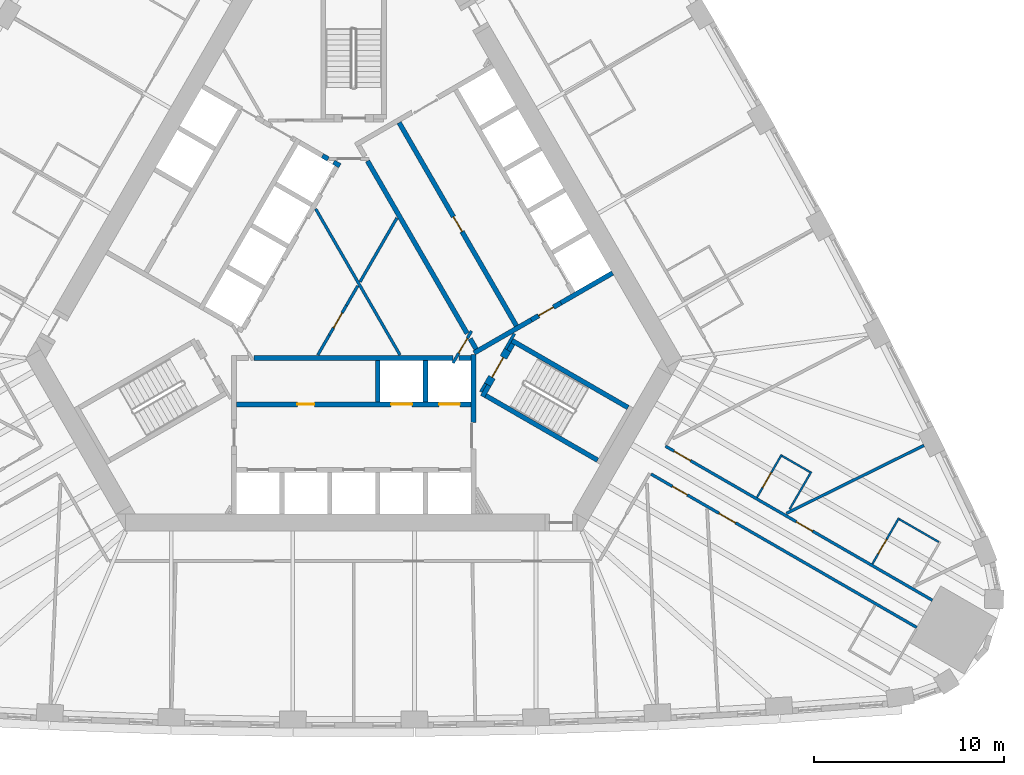
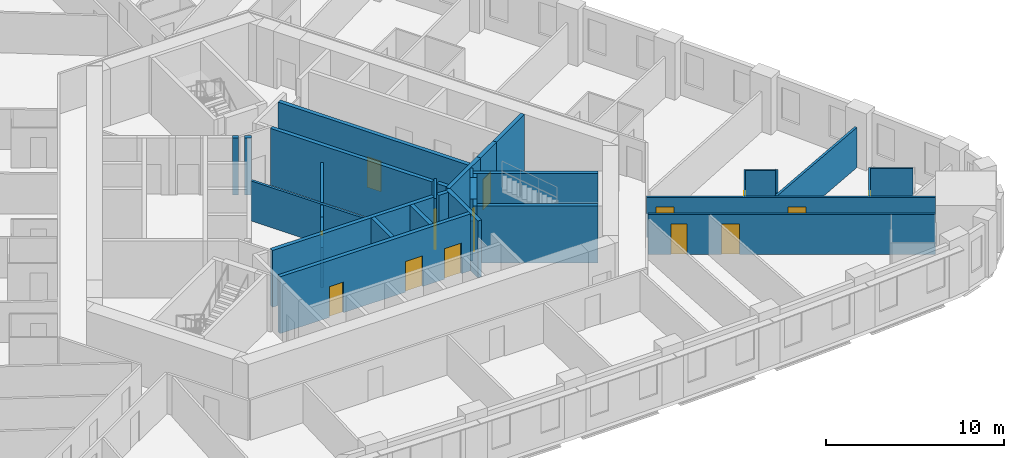
# One storey, part 7 of 12: 35 walls, 14 doors, 14 openings.
"""IFC4 building model written with IfcOpenShell, lengths in metres."""

from ifc_helpers import new_model, si_unit, direction, frame, frame_2d, origin, place, context, subcontext, project, spatial, rectangle, extrude, material, layer, layer_set, type_object, element, fill, save


model = new_model("IFC4")

# Units and contexts
model_context = context("Model", 3, precision=1e-05, world=origin(), true_north=direction((0.0, 1.0)))
body_context = subcontext(model_context, "Body", "Model", "MODEL_VIEW")
ifc_project = project(units=[si_unit("LENGTHUNIT", "METRE"), si_unit("AREAUNIT", "SQUARE_METRE"), si_unit("VOLUMEUNIT", "CUBIC_METRE"), si_unit("PLANEANGLEUNIT", "RADIAN"), si_unit("MASSUNIT", "GRAM", prefix="KILO")], contexts=[model_context])

# Site, building, storey
site_placement = place(None, origin())
site = spatial("IfcSite", under=ifc_project, at=site_placement, CompositionType="ELEMENT")
building_placement = place(site_placement, origin())
building = spatial("IfcBuilding", under=site, at=building_placement, Name="Mestral Congress Tower", CompositionType="ELEMENT")
storey_placement = place(building_placement, frame((0.0, 0.0, 47.10009765625)))
storey = spatial("IfcBuildingStorey", under=building, at=storey_placement, Name="L10", CompositionType="ELEMENT", Elevation=47.10009765625)

# Walls
ifc_material_1 = material(Name="Fire-rated board partition")
ifc_layer_1 = layer(ifc_material_1, 0.14990234375)
ifc_layer_set_1 = layer_set([ifc_layer_1], Name="Fire-rated board partition")
wall_type_1 = type_object("IfcWallType", Name="Core partition 150", PredefinedType="PARTITIONING", material=ifc_layer_set_1)
wall_1_placement = place(storey_placement, frame((-1.886962890625, -3.71826171875, 0.0), z_axis=(0.0, 0.0, 1.0), x_axis=(0.500057179532, 0.865992388649, 0.0)))
element("IfcWall", 1, at=wall_1_placement, inside=storey, type_object=wall_type_1, Name="L10 core wall", PredefinedType="PARTITIONING", context=body_context, shape_type="SweptSolid", body=[
    extrude(rectangle(XDim=1.199462890625, YDim=0.14990234375, at=frame_2d((0.599609375, 0.0))), origin(), (0.0, 0.0, 1.0), 2.75),
])
wall_2_placement = place(storey_placement, frame((6.94482421875, -5.22216796875, 0.0), z_axis=(0.0, 0.0, 1.0), x_axis=(-0.499818422106, -0.866130212453, 0.0)))
element("IfcWall", 2, at=wall_2_placement, inside=storey, type_object=wall_type_1, Name="L10 core wall", PredefinedType="PARTITIONING", context=body_context, shape_type="SweptSolid", body=[
    extrude(rectangle(XDim=0.513916015625, YDim=0.14990234375, at=frame_2d((0.2568359375, 0.0))), origin(), (0.0, 0.0, 1.0), 2.75),
])
wall_3_placement = place(storey_placement, frame((2.435302734375, -3.71826171875, 0.0), z_axis=(0.0, 0.0, 1.0), x_axis=(-0.499985176046, 0.866033962229, 0.0)))
element("IfcWall", 3, at=wall_3_placement, inside=storey, type_object=wall_type_1, Name="L10 core wall", PredefinedType="PARTITIONING", context=body_context, shape_type="SweptSolid", body=[
    extrude(rectangle(XDim=8.875244140625, YDim=0.14990234375, at=frame_2d((4.4375, 0.0))), origin(), (0.0, 0.0, 1.0), 2.75),
])
wall_4_placement = place(storey_placement, frame((0.3359375, 0.1318359375, 0.0), z_axis=(0.0, 0.0, 1.0), x_axis=(0.500001957507, 0.866024273614, 0.0)))
element("IfcWall", 4, at=wall_4_placement, inside=storey, type_object=wall_type_1, Name="L10 core wall", PredefinedType="PARTITIONING", context=body_context, shape_type="SweptSolid", body=[
    extrude(rectangle(XDim=3.88134765625, YDim=0.14990234375, at=frame_2d((1.940673828125, 0.0))), origin(), (0.0, 0.0, 1.0), 2.75),
])
wall_5_placement = place(storey_placement, frame((-0.38720703125, -1.12060546875, 0.0), z_axis=(0.0, 0.0, 1.0), x_axis=(0.500057179532, 0.865992388649, 0.0)))
element("IfcWall", 5, at=wall_5_placement, inside=storey, type_object=wall_type_1, Name="L10 core wall", PredefinedType="PARTITIONING", context=body_context, shape_type="SweptSolid", body=[
    extrude(rectangle(XDim=1.199462890625, YDim=0.14990234375, at=frame_2d((0.599609375, 0.0))), origin(), (0.0, 0.0, 1.0), 2.75),
])

# Wall, opening, door
wall_6_placement = place(storey_placement, frame((-1.287109375, -2.679443359375, 0.0), z_axis=(0.0, 0.0, 1.0), x_axis=(0.499961193289, 0.866047807691, 0.0)))
wall_6 = element("IfcWall", 6, at=wall_6_placement, inside=storey, type_object=wall_type_1, Name="L10 door wall", PredefinedType="PARTITIONING", context=body_context, shape_type="SweptSolid", body=[
    extrude(rectangle(XDim=1.800048828125, YDim=0.14990234375, at=frame_2d((0.89990234375, 0.0))), origin(), (0.0, 0.0, 1.0), 2.75),
])
opening_1_placement = place(wall_6_placement, frame((0.449951171875, 0.0, 0.0)))
opening_1 = element("IfcOpeningElement", 7, at=opening_1_placement, cuts=wall_6, Name="Opening SD-HUB2", PredefinedType="OPENING", context=body_context, shape_type="SweptSolid", body=[
    extrude(rectangle(XDim=0.89990234375, YDim=2.10009765625, at=frame_2d((0.449951171875, 1.050048828125))), frame((0.0, 0.0849609375, 0.0), z_axis=(0.0, -1.0, 0.0), x_axis=(1.0, 0.0, 0.0)), (0.0, 0.0, 1.0), 0.169921875),
])
ifc_material_2 = material(Name="Fire-rated steel door set", Category="steel")
door_type_1 = type_object("IfcDoorType", Name="Core door SR 900x2100", OperationType="SINGLE_SWING_LEFT", PredefinedType="DOOR", material=ifc_material_2)
door_1_placement = place(opening_1_placement, origin())
door_1 = element("IfcDoor", 8, at=door_1_placement, inside=storey, type_object=door_type_1, Name="Door SD-HUB2", OperationType="SINGLE_SWING_LEFT", OverallHeight=2.10009765625, OverallWidth=0.89990234375, PredefinedType="DOOR", context=body_context, shape_type="SweptSolid", body=[
    extrude(rectangle(XDim=0.89990234375, YDim=2.10009765625, at=frame_2d((0.449951171875, 1.050048828125))), frame((0.0, 0.02490234375, 0.0), z_axis=(0.0, -1.0, 0.0), x_axis=(1.0, 0.0, 0.0)), (0.0, 0.0, 1.0), 0.050048828125),
])
fill(opening_1, door_1)

ifc_material_3 = material(Name="Gypsum board partition on metal studs with mineral wool", Category="composite")
ifc_layer_2 = layer(ifc_material_3, 0.10009765625)
ifc_layer_set_2 = layer_set([ifc_layer_2], Name="Gypsum board partition on metal studs with mineral wool")
wall_type_2 = type_object("IfcWallType", Name="Hotel partition wall 100", PredefinedType="PARTITIONING", material=ifc_layer_set_2)
wall_7_placement = place(storey_placement, frame((28.7041015625, -12.300048828125, 0.0), z_axis=(0.0, 0.0, 1.0), x_axis=(-0.49998411664, -0.866034573852, 0.0)))
wall_7 = element("IfcWall", 9, at=wall_7_placement, inside=storey, type_object=wall_type_2, Name="L10-h-pod10a", PredefinedType="PARTITIONING", context=body_context, shape_type="SweptSolid", body=[
    extrude(rectangle(XDim=2.7998046875, YDim=0.10009765625, at=frame_2d((1.39990234375, 0.0))), origin(), (0.0, 0.0, 1.0), 2.75),
])
opening_2_placement = place(wall_7_placement, frame((1.300048828125, 0.0, 0.0)))
opening_2 = element("IfcOpeningElement", 10, at=opening_2_placement, cuts=wall_7, Name="Opening H02-013", PredefinedType="OPENING", context=body_context, shape_type="SweptSolid", body=[
    extrude(rectangle(XDim=0.89990234375, YDim=2.10009765625, at=frame_2d((0.449951171875, 1.050048828125))), frame((0.0, 0.06005859375, 0.0), z_axis=(0.0, -1.0, 0.0), x_axis=(1.0, 0.0, 0.0)), (0.0, 0.0, 1.0), 0.1201171875),
])
ifc_material_4 = material(Name="Timber veneer door leaf in timber frame", Category="wood")
door_type_2 = type_object("IfcDoorType", Name="Bathroom door 900", OperationType="SINGLE_SWING_LEFT", PredefinedType="DOOR", material=ifc_material_4)
door_2_placement = place(opening_2_placement, origin())
door_2 = element("IfcDoor", 11, at=door_2_placement, inside=storey, type_object=door_type_2, Name="L10-h-d013", OperationType="SINGLE_SWING_LEFT", OverallHeight=2.10009765625, OverallWidth=0.89990234375, PredefinedType="DOOR", context=body_context, shape_type="SweptSolid", body=[
    extrude(rectangle(XDim=0.89990234375, YDim=2.10009765625, at=frame_2d((0.449951171875, 1.050048828125))), frame((0.0, 0.02490234375, 0.0), z_axis=(0.0, -1.0, 0.0), x_axis=(1.0, 0.0, 0.0)), (0.0, 0.0, 1.0), 0.050048828125),
])
fill(opening_2, door_2)

# Wall
wall_8_placement = place(storey_placement, frame((28.722412109375, -12.368408203125, 0.0), z_axis=(0.0, 0.0, 1.0), x_axis=(0.866050077142, -0.499957262057, 0.0)))
element("IfcWall", 12, at=wall_8_placement, inside=storey, type_object=wall_type_2, Name="L10-h-pod10b", PredefinedType="PARTITIONING", context=body_context, shape_type="SweptSolid", body=[
    extrude(rectangle(XDim=2.400146484375, YDim=0.10009765625, at=frame_2d((1.2001953125, 0.0))), origin(), (0.0, 0.0, 1.0), 2.75),
])

# Wall, opening, door
wall_9_placement = place(storey_placement, frame((22.5302734375, -8.96630859375, 0.0), z_axis=(0.0, 0.0, 1.0), x_axis=(-0.500006934395, -0.866021400173, 0.0)))
wall_9 = element("IfcWall", 13, at=wall_9_placement, inside=storey, type_object=wall_type_2, Name="L10-h-pod11a", PredefinedType="PARTITIONING", context=body_context, shape_type="SweptSolid", body=[
    extrude(rectangle(XDim=2.60009765625, YDim=0.10009765625, at=frame_2d((1.300048828125, 0.0))), origin(), (0.0, 0.0, 1.0), 2.75),
])
opening_3_placement = place(wall_9_placement, frame((1.10009765625, 0.0, 0.0)))
opening_3 = element("IfcOpeningElement", 14, at=opening_3_placement, cuts=wall_9, Name="Opening H02-015", PredefinedType="OPENING", context=body_context, shape_type="SweptSolid", body=[
    extrude(rectangle(XDim=0.89990234375, YDim=2.10009765625, at=frame_2d((0.449951171875, 1.050048828125))), frame((0.0, 0.06005859375, 0.0), z_axis=(0.0, -1.0, 0.0), x_axis=(1.0, 0.0, 0.0)), (0.0, 0.0, 1.0), 0.1201171875),
])
door_3_placement = place(opening_3_placement, origin())
door_3 = element("IfcDoor", 15, at=door_3_placement, inside=storey, type_object=door_type_2, Name="L10-h-d015", OperationType="SINGLE_SWING_LEFT", OverallHeight=2.10009765625, OverallWidth=0.89990234375, PredefinedType="DOOR", context=body_context, shape_type="SweptSolid", body=[
    extrude(rectangle(XDim=0.89990234375, YDim=2.10009765625, at=frame_2d((0.449951171875, 1.050048828125))), frame((0.0, 0.02490234375, 0.0), z_axis=(0.0, -1.0, 0.0), x_axis=(1.0, 0.0, 0.0)), (0.0, 0.0, 1.0), 0.050048828125),
])
fill(opening_3, door_3)

# Walls
wall_10_placement = place(storey_placement, frame((22.548583984375, -9.03466796875, 0.0), z_axis=(0.0, 0.0, 1.0), x_axis=(0.86605165483, -0.499954529098, 0.0)))
element("IfcWall", 16, at=wall_10_placement, inside=storey, type_object=wall_type_2, Name="L10-h-pod11b", PredefinedType="PARTITIONING", context=body_context, shape_type="SweptSolid", body=[
    extrude(rectangle(XDim=1.699951171875, YDim=0.10009765625, at=frame_2d((0.85009765625, 0.0))), origin(), (0.0, 0.0, 1.0), 2.75),
])
wall_11_placement = place(storey_placement, frame((22.944091796875, -11.849609375, 0.0), z_axis=(0.0, 0.0, 1.0), x_axis=(0.499968531483, 0.866043571379, 0.0)))
element("IfcWall", 17, at=wall_11_placement, inside=storey, type_object=wall_type_2, Name="L10-h-pod11c", PredefinedType="PARTITIONING", context=body_context, shape_type="SweptSolid", body=[
    extrude(rectangle(XDim=2.290283203125, YDim=0.10009765625, at=frame_2d((1.14501953125, 0.0))), origin(), (0.0, 0.0, 1.0), 2.75),
])

# Wall, openings, doors
ifc_layer_3 = layer(ifc_material_3, 0.14990234375)
ifc_layer_set_3 = layer_set([ifc_layer_3], Name="Gypsum board partition on metal studs with mineral wool")
wall_type_3 = type_object("IfcWallType", Name="Hotel partition wall 150", PredefinedType="PARTITIONING", material=ifc_layer_set_3)
wall_12_placement = place(storey_placement, frame((16.412353515625, -8.52294921875, 0.0), z_axis=(0.0, 0.0, 1.0), x_axis=(0.866022197818, -0.500005552856, 0.0)))
wall_12 = element("IfcWall", 18, at=wall_12_placement, inside=storey, type_object=wall_type_3, Name="L10-h-cw01", PredefinedType="PARTITIONING", context=body_context, shape_type="SweptSolid", body=[
    extrude(rectangle(XDim=16.223876953125, YDim=0.14990234375, at=frame_2d((8.11181640625, 0.0))), origin(), (0.0, 0.0, 1.0), 2.75),
])
opening_4_placement = place(wall_12_placement, frame((7.94921875, 0.0, 0.0)))
opening_4 = element("IfcOpeningElement", 19, at=opening_4_placement, cuts=wall_12, Name="Opening H02-012", PredefinedType="OPENING", context=body_context, shape_type="SweptSolid", body=[
    extrude(rectangle(XDim=1.0, YDim=2.10009765625, at=frame_2d((0.5, 1.050048828125))), frame((0.0, 0.0849609375, 0.0), z_axis=(0.0, -1.0, 0.0), x_axis=(1.0, 0.0, 0.0)), (0.0, 0.0, 1.0), 0.169921875),
])
opening_5_placement = place(wall_12_placement, frame((0.526123046875, 0.0, 0.0)))
opening_5 = element("IfcOpeningElement", 20, at=opening_5_placement, cuts=wall_12, Name="Opening H02-014", PredefinedType="OPENING", context=body_context, shape_type="SweptSolid", body=[
    extrude(rectangle(XDim=1.0, YDim=2.10009765625, at=frame_2d((0.5, 1.050048828125))), frame((0.0, 0.0849609375, 0.0), z_axis=(0.0, -1.0, 0.0), x_axis=(1.0, 0.0, 0.0)), (0.0, 0.0, 1.0), 0.169921875),
])
ifc_material_5 = material(Name="Timber veneer door leaf in metal frame", Category="wood")
door_type_3 = type_object("IfcDoorType", Name="Guest room entrance door 1000", OperationType="SINGLE_SWING_LEFT", PredefinedType="DOOR", material=ifc_material_5)
door_4_placement = place(opening_4_placement, origin())
door_4 = element("IfcDoor", 21, at=door_4_placement, inside=storey, type_object=door_type_3, Name="L10-h-d012", OperationType="SINGLE_SWING_LEFT", OverallHeight=2.10009765625, OverallWidth=1.0, PredefinedType="DOOR", context=body_context, shape_type="SweptSolid", body=[
    extrude(rectangle(XDim=1.0, YDim=2.10009765625, at=frame_2d((0.5, 1.050048828125))), frame((0.0, 0.02490234375, 0.0), z_axis=(0.0, -1.0, 0.0), x_axis=(1.0, 0.0, 0.0)), (0.0, 0.0, 1.0), 0.050048828125),
])
fill(opening_4, door_4)
door_5_placement = place(opening_5_placement, origin())
door_5 = element("IfcDoor", 22, at=door_5_placement, inside=storey, type_object=door_type_3, Name="L10-h-d014", OperationType="SINGLE_SWING_LEFT", OverallHeight=2.10009765625, OverallWidth=1.0, PredefinedType="DOOR", context=body_context, shape_type="SweptSolid", body=[
    extrude(rectangle(XDim=1.0, YDim=2.10009765625, at=frame_2d((0.5, 1.050048828125))), frame((0.0, 0.02490234375, 0.0), z_axis=(0.0, -1.0, 0.0), x_axis=(1.0, 0.0, 0.0)), (0.0, 0.0, 1.0), 0.050048828125),
])
fill(opening_5, door_5)

wall_13_placement = place(storey_placement, frame((29.6376953125, -18.06396484375, 0.0), z_axis=(0.0, 0.0, 1.0), x_axis=(-0.866026175601, 0.499998663172, 0.0)))
wall_13 = element("IfcWall", 23, at=wall_13_placement, inside=storey, type_object=wall_type_3, Name="L10-h-cw15", PredefinedType="PARTITIONING", context=body_context, shape_type="SweptSolid", body=[
    extrude(rectangle(XDim=16.14404296875, YDim=0.14990234375, at=frame_2d((8.072021484375, 0.0))), origin(), (0.0, 0.0, 1.0), 2.75),
])
opening_6_placement = place(wall_13_placement, frame((13.9482421875, 0.0, 0.0)))
opening_6 = element("IfcOpeningElement", 24, at=opening_6_placement, cuts=wall_13, Name="Opening H02-009", PredefinedType="OPENING", context=body_context, shape_type="SweptSolid", body=[
    extrude(rectangle(XDim=0.89990234375, YDim=2.10009765625, at=frame_2d((0.449951171875, 1.050048828125))), frame((0.0, 0.0849609375, 0.0), z_axis=(0.0, -1.0, 0.0), x_axis=(1.0, 0.0, 0.0)), (0.0, 0.0, 1.0), 0.169921875),
])
opening_7_placement = place(wall_13_placement, frame((11.003662109375, 0.0, 0.0)))
opening_7 = element("IfcOpeningElement", 25, at=opening_7_placement, cuts=wall_13, Name="Opening H02-010", PredefinedType="OPENING", context=body_context, shape_type="SweptSolid", body=[
    extrude(rectangle(XDim=1.0, YDim=2.10009765625, at=frame_2d((0.5, 1.050048828125))), frame((0.0, 0.0849609375, 0.0), z_axis=(0.0, -1.0, 0.0), x_axis=(1.0, 0.0, 0.0)), (0.0, 0.0, 1.0), 0.169921875),
])
door_6_placement = place(opening_7_placement, origin())
door_6 = element("IfcDoor", 26, at=door_6_placement, inside=storey, type_object=door_type_3, Name="L10-h-d010", OperationType="SINGLE_SWING_RIGHT", OverallHeight=2.10009765625, OverallWidth=1.0, PredefinedType="DOOR", context=body_context, shape_type="SweptSolid", body=[
    extrude(rectangle(XDim=1.0, YDim=2.10009765625, at=frame_2d((0.5, 1.050048828125))), frame((0.0, 0.02490234375, 0.0), z_axis=(0.0, -1.0, 0.0), x_axis=(1.0, 0.0, 0.0)), (0.0, 0.0, 1.0), 0.050048828125),
])
fill(opening_7, door_6)
door_type_4 = type_object("IfcDoorType", Name="Service room door 900", OperationType="SINGLE_SWING_LEFT", PredefinedType="DOOR", material=ifc_material_5)
door_7_placement = place(opening_6_placement, origin())
door_7 = element("IfcDoor", 27, at=door_7_placement, inside=storey, type_object=door_type_4, Name="L10-h-d009", OperationType="SINGLE_SWING_RIGHT", OverallHeight=2.10009765625, OverallWidth=0.89990234375, PredefinedType="DOOR", context=body_context, shape_type="SweptSolid", body=[
    extrude(rectangle(XDim=0.89990234375, YDim=2.10009765625, at=frame_2d((0.449951171875, 1.050048828125))), frame((0.0, 0.02490234375, 0.0), z_axis=(0.0, -1.0, 0.0), x_axis=(1.0, 0.0, 0.0)), (0.0, 0.0, 1.0), 0.050048828125),
])
fill(opening_6, door_7)

# Walls
wall_14_placement = place(storey_placement, frame((30.017578125, -8.48291015625, 0.0), z_axis=(0.0, 0.0, 1.0), x_axis=(-0.896544505264, -0.44295366584, 0.0)))
element("IfcWall", 28, at=wall_14_placement, inside=storey, type_object=wall_type_3, Name="L10-h-pw26", PredefinedType="PARTITIONING", context=body_context, shape_type="SweptSolid", body=[
    extrude(rectangle(XDim=8.078857421875, YDim=0.14990234375, at=frame_2d((4.03955078125, 0.0))), origin(), (0.0, 0.0, 1.0), 2.75),
])
ifc_material_6 = material(Name="Concrete C60/75", Category="concrete")
ifc_layer_4 = layer(ifc_material_6, 0.25)
ifc_layer_set_4 = layer_set([ifc_layer_4], Name="Concrete C60/75")
wall_type_4 = type_object("IfcWallType", Name="Shaft wall RC 250", PredefinedType="SOLIDWALL", material=ifc_layer_set_4)
wall_15_placement = place(storey_placement, frame((-5.25927734375, -3.875, 0.0), z_axis=(0.0, 0.0, 1.0), x_axis=(1.0, 0.0, 0.0)))
element("IfcWall", 29, at=wall_15_placement, inside=storey, type_object=wall_type_4, Name="L10 core wall", PredefinedType="SOLIDWALL", context=body_context, shape_type="SweptSolid", body=[
    extrude(rectangle(XDim=10.488525390625, YDim=0.25, at=frame_2d((5.244140625, 0.0))), origin(), (0.0, 0.0, 1.0), 3.89990234375),
])
for number, where, z_axis, x_axis, name in (
    (30, (3.780029296875, -4.0, 0.0), (0.0, 0.0, 1.0), (0.0, -1.0, 0.0), "L10 core wall"),
    (31, (1.260009765625, -4.0, 0.0), (0.0, 0.0, 1.0), (0.0, -1.0, 0.0), "L10 core wall"),
):
    element("IfcWall", number, at=place(storey_placement, frame(where, z_axis=z_axis, x_axis=x_axis)), inside=storey, type_object=wall_type_4, Name=name, PredefinedType="SOLIDWALL", context=body_context, shape_type="SweptSolid", body=[
        extrude(rectangle(XDim=2.199951171875, YDim=0.25, at=frame_2d((1.10009765625, 0.0))), origin(), (0.0, 0.0, 1.0), 3.89990234375),
    ])
wall_16_placement = place(storey_placement, frame((6.300048828125, -7.27001953125, 0.0), z_axis=(0.0, 0.0, 1.0), x_axis=(0.0, 1.0, 0.0)))
element("IfcWall", 32, at=wall_16_placement, inside=storey, type_object=wall_type_4, Name="L10 core wall", PredefinedType="SOLIDWALL", context=body_context, shape_type="SweptSolid", body=[
    extrude(rectangle(XDim=3.586181640625, YDim=0.25, at=frame_2d((1.79296875, 0.0))), origin(), (0.0, 0.0, 1.0), 3.89990234375),
])
wall_17_placement = place(storey_placement, frame((5.538330078125, -3.875, 0.0), z_axis=(0.0, 0.0, 1.0), x_axis=(1.0, 0.0, 0.0)))
element("IfcWall", 33, at=wall_17_placement, inside=storey, type_object=wall_type_4, Name="L10 core wall", PredefinedType="SOLIDWALL", context=body_context, shape_type="SweptSolid", body=[
    extrude(rectangle(XDim=0.63671875, YDim=0.25, at=frame_2d((0.318359375, 0.0))), origin(), (0.0, 0.0, 1.0), 3.89990234375),
])
wall_18_placement = place(storey_placement, frame((13.62890625, 0.593994140625, 0.0), z_axis=(0.0, 0.0, 1.0), x_axis=(-0.86602790099, -0.499995674689, 0.0)))
element("IfcWall", 34, at=wall_18_placement, inside=storey, type_object=wall_type_4, Name="L10 core wall", PredefinedType="SOLIDWALL", context=body_context, shape_type="SweptSolid", body=[
    extrude(rectangle(XDim=3.1455078125, YDim=0.25, at=frame_2d((1.57275390625, 0.0))), origin(), (0.0, 0.0, 1.0), 3.89990234375),
])
wall_19_placement = place(storey_placement, frame((9.345703125, -1.87890625, 0.0), z_axis=(0.0, 0.0, 1.0), x_axis=(-0.866048528039, -0.499959945477, 0.0)))
element("IfcWall", 35, at=wall_19_placement, inside=storey, type_object=wall_type_4, Name="L10 core wall", PredefinedType="SOLIDWALL", context=body_context, shape_type="SweptSolid", body=[
    extrude(rectangle(XDim=3.470458984375, YDim=0.25, at=frame_2d((1.7353515625, 0.0))), origin(), (0.0, 0.0, 1.0), 3.89990234375),
])
wall_20_placement = place(storey_placement, frame((6.1298828125, -2.867431640625, 0.0), z_axis=(0.0, 0.0, 1.0), x_axis=(0.500160776593, -0.865932559475, 0.0)))
element("IfcWall", 36, at=wall_20_placement, inside=storey, type_object=wall_type_4, Name="L10 core wall", PredefinedType="SOLIDWALL", context=body_context, shape_type="SweptSolid", body=[
    extrude(rectangle(XDim=0.626708984375, YDim=0.25, at=frame_2d((0.3134765625, 0.0))), origin(), (0.0, 0.0, 1.0), 3.89990234375),
])
wall_21_placement = place(storey_placement, frame((5.970458984375, -2.591064453125, 0.0), z_axis=(0.0, 0.0, 1.0), x_axis=(-0.499994469932, 0.866028596547, 0.0)))
element("IfcWall", 37, at=wall_21_placement, inside=storey, type_object=wall_type_4, Name="L10 core wall", PredefinedType="SOLIDWALL", context=body_context, shape_type="SweptSolid", body=[
    extrude(rectangle(XDim=10.48828125, YDim=0.25, at=frame_2d((5.244140625, 0.0))), origin(), (0.0, 0.0, 1.0), 3.89990234375),
])
wall_22_placement = place(storey_placement, frame((-1.34228515625, 6.5947265625, 0.0), z_axis=(0.0, 0.0, 1.0), x_axis=(-0.866046247233, 0.49996389635, 0.0)))
element("IfcWall", 38, at=wall_22_placement, inside=storey, type_object=wall_type_4, Name="L10 core wall", PredefinedType="SOLIDWALL", context=body_context, shape_type="SweptSolid", body=[
    extrude(rectangle(XDim=0.35009765625, YDim=0.25, at=frame_2d((0.175048828125, 0.0))), origin(), (0.0, 0.0, 1.0), 3.89990234375),
])
wall_23_placement = place(storey_placement, frame((-0.7275390625, 6.23974609375, 0.0), z_axis=(0.0, 0.0, 1.0), x_axis=(-0.866088799389, 0.499890179513, 0.0)))
element("IfcWall", 39, at=wall_23_placement, inside=storey, type_object=wall_type_4, Name="L10 core wall", PredefinedType="SOLIDWALL", context=body_context, shape_type="SweptSolid", body=[
    extrude(rectangle(XDim=0.3779296875, YDim=0.25, at=frame_2d((0.18896484375, 0.0))), origin(), (0.0, 0.0, 1.0), 3.89990234375),
])

# Wall, openings, doors
wall_24_placement = place(storey_placement, frame((-6.175048828125, -6.324951171875, 0.0), z_axis=(0.0, 0.0, 1.0), x_axis=(1.0, 0.0, 0.0)))
wall_24 = element("IfcWall", 40, at=wall_24_placement, inside=storey, type_object=wall_type_4, Name="L10 door wall", PredefinedType="SOLIDWALL", context=body_context, shape_type="SweptSolid", body=[
    extrude(rectangle(XDim=12.35009765625, YDim=0.25, at=frame_2d((6.175048828125, 0.0))), origin(), (0.0, 0.0, 1.0), 3.89990234375),
])
opening_8_placement = place(wall_24_placement, frame((3.205078125, 0.0, 0.0)))
opening_8 = element("IfcOpeningElement", 41, at=opening_8_placement, cuts=wall_24, Name="Opening SR-SOB1", PredefinedType="OPENING", context=body_context, shape_type="SweptSolid", body=[
    extrude(rectangle(XDim=0.89990234375, YDim=2.10009765625, at=frame_2d((0.449951171875, 1.050048828125))), frame((0.0, 0.135009765625, 0.0), z_axis=(0.0, -1.0, 0.0), x_axis=(1.0, 0.0, 0.0)), (0.0, 0.0, 1.0), 0.27001953125),
])
opening_9_placement = place(wall_24_placement, frame((8.14501953125, 0.0, 0.0)))
opening_9 = element("IfcOpeningElement", 42, at=opening_9_placement, cuts=wall_24, Name="Opening LD-SOB4", PredefinedType="OPENING", context=body_context, shape_type="SweptSolid", body=[
    extrude(rectangle(XDim=1.10009765625, YDim=2.10009765625, at=frame_2d((0.550048828125, 1.050048828125))), frame((0.0, 0.135009765625, 0.0), z_axis=(0.0, -1.0, 0.0), x_axis=(1.0, 0.0, 0.0)), (0.0, 0.0, 1.0), 0.27001953125),
])
opening_10_placement = place(wall_24_placement, frame((10.6650390625, 0.0, 0.0)))
opening_10 = element("IfcOpeningElement", 43, at=opening_10_placement, cuts=wall_24, Name="Opening LD-SOB5", PredefinedType="OPENING", context=body_context, shape_type="SweptSolid", body=[
    extrude(rectangle(XDim=1.10009765625, YDim=2.10009765625, at=frame_2d((0.550048828125, 1.050048828125))), frame((0.0, 0.135009765625, 0.0), z_axis=(0.0, -1.0, 0.0), x_axis=(1.0, 0.0, 0.0)), (0.0, 0.0, 1.0), 0.27001953125),
])
door_type_5 = type_object("IfcDoorType", Name="Core door LD 1100x2100", OperationType="DOUBLE_DOOR_SLIDING", PredefinedType="DOOR", material=ifc_material_2)
door_8_placement = place(opening_9_placement, origin())
door_8 = element("IfcDoor", 44, at=door_8_placement, inside=storey, type_object=door_type_5, Name="Door LD-SOB4", OperationType="DOUBLE_DOOR_SLIDING", OverallHeight=2.10009765625, OverallWidth=1.10009765625, PredefinedType="DOOR", context=body_context, shape_type="SweptSolid", body=[
    extrude(rectangle(XDim=1.10009765625, YDim=2.10009765625, at=frame_2d((0.550048828125, 1.050048828125))), frame((0.0, 0.02490234375, 0.0), z_axis=(0.0, -1.0, 0.0), x_axis=(1.0, 0.0, 0.0)), (0.0, 0.0, 1.0), 0.050048828125),
])
fill(opening_9, door_8)
door_9_placement = place(opening_10_placement, origin())
door_9 = element("IfcDoor", 45, at=door_9_placement, inside=storey, type_object=door_type_5, Name="Door LD-SOB5", OperationType="DOUBLE_DOOR_SLIDING", OverallHeight=2.10009765625, OverallWidth=1.10009765625, PredefinedType="DOOR", context=body_context, shape_type="SweptSolid", body=[
    extrude(rectangle(XDim=1.10009765625, YDim=2.10009765625, at=frame_2d((0.550048828125, 1.050048828125))), frame((0.0, 0.02490234375, 0.0), z_axis=(0.0, -1.0, 0.0), x_axis=(1.0, 0.0, 0.0)), (0.0, 0.0, 1.0), 0.050048828125),
])
fill(opening_10, door_9)
door_10_placement = place(opening_8_placement, origin())
door_10 = element("IfcDoor", 46, at=door_10_placement, inside=storey, type_object=door_type_1, Name="Door SR-SOB1", OperationType="SINGLE_SWING_LEFT", OverallHeight=2.10009765625, OverallWidth=0.89990234375, PredefinedType="DOOR", context=body_context, shape_type="SweptSolid", body=[
    extrude(rectangle(XDim=0.89990234375, YDim=2.10009765625, at=frame_2d((0.449951171875, 1.050048828125))), frame((0.0, 0.02490234375, 0.0), z_axis=(0.0, -1.0, 0.0), x_axis=(1.0, 0.0, 0.0)), (0.0, 0.0, 1.0), 0.050048828125),
])
fill(opening_8, door_10)

# Wall, opening, door
wall_25_placement = place(storey_placement, frame((8.565185546875, -2.185302734375, 0.0), z_axis=(0.0, 0.0, 1.0), x_axis=(-0.499997954832, 0.866026584559, 0.0)))
wall_25 = element("IfcWall", 47, at=wall_25_placement, inside=storey, type_object=wall_type_4, Name="L10 door wall", PredefinedType="SOLIDWALL", context=body_context, shape_type="SweptSolid", body=[
    extrude(rectangle(XDim=12.35009765625, YDim=0.25, at=frame_2d((6.175048828125, 0.0))), origin(), (0.0, 0.0, 1.0), 3.89990234375),
])
opening_11_placement = place(wall_25_placement, frame((5.72509765625, 0.0, 0.0)))
opening_11 = element("IfcOpeningElement", 48, at=opening_11_placement, cuts=wall_25, Name="Opening SR-NEB1", PredefinedType="OPENING", context=body_context, shape_type="SweptSolid", body=[
    extrude(rectangle(XDim=0.89990234375, YDim=2.10009765625, at=frame_2d((0.449951171875, 1.050048828125))), frame((0.0, 0.135009765625, 0.0), z_axis=(0.0, -1.0, 0.0), x_axis=(1.0, 0.0, 0.0)), (0.0, 0.0, 1.0), 0.27001953125),
])
door_11_placement = place(opening_11_placement, origin())
door_11 = element("IfcDoor", 49, at=door_11_placement, inside=storey, type_object=door_type_1, Name="Door SR-NEB1", OperationType="SINGLE_SWING_LEFT", OverallHeight=2.10009765625, OverallWidth=0.89990234375, PredefinedType="DOOR", context=body_context, shape_type="SweptSolid", body=[
    extrude(rectangle(XDim=0.89990234375, YDim=2.10009765625, at=frame_2d((0.449951171875, 1.050048828125))), frame((0.0, 0.02490234375, 0.0), z_axis=(0.0, -1.0, 0.0), x_axis=(1.0, 0.0, 0.0)), (0.0, 0.0, 1.0), 0.050048828125),
])
fill(opening_11, door_11)

wall_26_placement = place(storey_placement, frame((9.345947265625, -1.878662109375, 0.0), z_axis=(0.0, 0.0, 1.0), x_axis=(0.866047807691, 0.499961193289, 0.0)))
wall_26 = element("IfcWall", 50, at=wall_26_placement, inside=storey, type_object=wall_type_4, Name="L10 door wall", PredefinedType="SOLIDWALL", context=body_context, shape_type="SweptSolid", body=[
    extrude(rectangle(XDim=1.800048828125, YDim=0.25, at=frame_2d((0.89990234375, 0.0))), origin(), (0.0, 0.0, 1.0), 3.89990234375),
])
opening_12_placement = place(wall_26_placement, frame((0.449951171875, 0.0, 0.0)))
opening_12 = element("IfcOpeningElement", 51, at=opening_12_placement, cuts=wall_26, Name="Opening TD1", PredefinedType="OPENING", context=body_context, shape_type="SweptSolid", body=[
    extrude(rectangle(XDim=0.89990234375, YDim=2.10009765625, at=frame_2d((0.449951171875, 1.050048828125))), frame((0.0, 0.135009765625, 0.0), z_axis=(0.0, -1.0, 0.0), x_axis=(1.0, 0.0, 0.0)), (0.0, 0.0, 1.0), 0.27001953125),
])
door_12_placement = place(opening_12_placement, origin())
door_12 = element("IfcDoor", 52, at=door_12_placement, inside=storey, type_object=door_type_1, Name="Door TD1", OperationType="SINGLE_SWING_LEFT", OverallHeight=2.10009765625, OverallWidth=0.89990234375, PredefinedType="DOOR", context=body_context, shape_type="SweptSolid", body=[
    extrude(rectangle(XDim=0.89990234375, YDim=2.10009765625, at=frame_2d((0.449951171875, 1.050048828125))), frame((0.0, 0.02490234375, 0.0), z_axis=(0.0, -1.0, 0.0), x_axis=(1.0, 0.0, 0.0)), (0.0, 0.0, 1.0), 0.050048828125),
])
fill(opening_12, door_12)

# Wall
ifc_layer_5 = layer(ifc_material_6, 0.14990234375)
ifc_layer_set_5 = layer_set([ifc_layer_5], Name="Concrete C60/75")
wall_type_5 = type_object("IfcWallType", Name="Shaft wall RC 250 door-wall 150", PredefinedType="SOLIDWALL", material=ifc_layer_set_5)
wall_27_placement = place(storey_placement, frame((8.459228515625, -2.59912109375, 0.0), z_axis=(0.0, 0.0, 1.0), x_axis=(-0.500041054325, -0.866001699761, 0.0)))
element("IfcWall", 53, at=wall_27_placement, inside=storey, type_object=wall_type_5, Name="L10 core wall", PredefinedType="PARTITIONING", context=body_context, shape_type="SweptSolid", body=[
    extrude(rectangle(XDim=0.9287109375, YDim=0.14990234375, at=frame_2d((0.46435546875, 0.0))), origin(), (0.0, 0.0, 1.0), 3.89990234375),
])

# Wall, opening, door
wall_28_placement = place(storey_placement, frame((6.203369140625, -2.45556640625, 0.0), z_axis=(0.0, 0.0, 1.0), x_axis=(-0.500043961785, -0.866000020948, 0.0)))
wall_28 = element("IfcWall", 54, at=wall_28_placement, inside=storey, type_object=wall_type_5, Name="L10 door wall", PredefinedType="PARTITIONING", context=body_context, shape_type="SweptSolid", body=[
    extrude(rectangle(XDim=1.949951171875, YDim=0.14990234375, at=frame_2d((0.97509765625, 0.0))), origin(), (0.0, 0.0, 1.0), 3.89990234375),
])
opening_13_placement = place(wall_28_placement, frame((0.449951171875, 0.0, 0.0)))
opening_13 = element("IfcOpeningElement", 55, at=opening_13_placement, cuts=wall_28, Name="Opening CD1-HUB0", PredefinedType="OPENING", context=body_context, shape_type="SweptSolid", body=[
    extrude(rectangle(XDim=0.89990234375, YDim=2.10009765625, at=frame_2d((0.449951171875, 1.050048828125))), frame((0.0, 0.0849609375, 0.0), z_axis=(0.0, -1.0, 0.0), x_axis=(1.0, 0.0, 0.0)), (0.0, 0.0, 1.0), 0.169921875),
])
door_type_6 = type_object("IfcDoorType", Name="Core door CD 900x2100", OperationType="SINGLE_SWING_LEFT", PredefinedType="DOOR", material=ifc_material_2)
door_13_placement = place(opening_13_placement, origin())
door_13 = element("IfcDoor", 56, at=door_13_placement, inside=storey, type_object=door_type_6, Name="Door CD1-HUB0", OperationType="SINGLE_SWING_LEFT", OverallHeight=2.10009765625, OverallWidth=0.89990234375, PredefinedType="DOOR", context=body_context, shape_type="SweptSolid", body=[
    extrude(rectangle(XDim=0.89990234375, YDim=2.10009765625, at=frame_2d((0.449951171875, 1.050048828125))), frame((0.0, 0.02490234375, 0.0), z_axis=(0.0, -1.0, 0.0), x_axis=(1.0, 0.0, 0.0)), (0.0, 0.0, 1.0), 0.050048828125),
])
fill(opening_13, door_13)

# Walls
ifc_layer_6 = layer(ifc_material_6, 0.25)
ifc_layer_set_6 = layer_set([ifc_layer_6], Name="Concrete C60/75")
wall_type_6 = type_object("IfcWallType", Name="Stair wall RC 250", PredefinedType="SOLIDWALL", material=ifc_layer_set_6)
wall_29_placement = place(storey_placement, frame((12.83984375, -9.2607421875, 0.0), z_axis=(0.0, 0.0, 1.0), x_axis=(-0.866013990052, 0.500019768644, 0.0)))
element("IfcWall", 57, at=wall_29_placement, inside=storey, type_object=wall_type_6, Name="L10 core wall", PredefinedType="SOLIDWALL", context=body_context, shape_type="SweptSolid", body=[
    extrude(rectangle(XDim=6.800048828125, YDim=0.25, at=frame_2d((3.39990234375, 0.0))), origin(), (0.0, 0.0, 1.0), 3.89990234375),
])
wall_30_placement = place(storey_placement, frame((6.780029296875, -5.906494140625, 0.0), z_axis=(0.0, 0.0, 1.0), x_axis=(0.500223362819, 0.865896406789, 0.0)))
element("IfcWall", 58, at=wall_30_placement, inside=storey, type_object=wall_type_6, Name="L10 core wall", PredefinedType="SOLIDWALL", context=body_context, shape_type="SweptSolid", body=[
    extrude(rectangle(XDim=0.675048828125, YDim=0.25, at=frame_2d((0.33740234375, 0.0))), origin(), (0.0, 0.0, 1.0), 3.89990234375),
])
wall_31_placement = place(storey_placement, frame((8.33447265625, -2.96435546875, 0.0), z_axis=(0.0, 0.0, 1.0), x_axis=(0.866016039709, -0.500016218704, 0.0)))
element("IfcWall", 59, at=wall_31_placement, inside=storey, type_object=wall_type_6, Name="L10 core wall", PredefinedType="SOLIDWALL", context=body_context, shape_type="SweptSolid", body=[
    extrude(rectangle(XDim=7.050048828125, YDim=0.25, at=frame_2d((3.52490234375, 0.0))), origin(), (0.0, 0.0, 1.0), 3.89990234375),
])
wall_32_placement = place(storey_placement, frame((8.167724609375, -3.503173828125, 0.0), z_axis=(0.0, 0.0, 1.0), x_axis=(0.49972245349, 0.866185586049, 0.0)))
element("IfcWall", 60, at=wall_32_placement, inside=storey, type_object=wall_type_6, Name="L10 core wall", PredefinedType="SOLIDWALL", context=body_context, shape_type="SweptSolid", body=[
    extrude(rectangle(XDim=0.425048828125, YDim=0.25, at=frame_2d((0.21240234375, 0.0))), origin(), (0.0, 0.0, 1.0), 3.89990234375),
])

# Wall, opening, door
ifc_layer_7 = layer(ifc_material_6, 0.39990234375)
ifc_layer_set_7 = layer_set([ifc_layer_7], Name="Concrete C60/75")
wall_type_7 = type_object("IfcWallType", Name="Stair wall RC 250 door-wall 400", PredefinedType="SOLIDWALL", material=ifc_layer_set_7)
wall_33_placement = place(storey_placement, frame((7.052734375, -5.2841796875, 0.0), z_axis=(0.0, 0.0, 1.0), x_axis=(0.500078061341, 0.865980330357, 0.0)))
wall_33 = element("IfcWall", 61, at=wall_33_placement, inside=storey, type_object=wall_type_7, Name="L10 door wall", PredefinedType="SOLIDWALL", context=body_context, shape_type="SweptSolid", body=[
    extrude(rectangle(XDim=2.099853515625, YDim=0.39990234375, at=frame_2d((1.0498046875, 0.0))), origin(), (0.0, 0.0, 1.0), 3.89990234375),
])
opening_14_placement = place(wall_33_placement, frame((0.449951171875, 0.0, 0.0)))
opening_14 = element("IfcOpeningElement", 62, at=opening_14_placement, cuts=wall_33, Name="Opening ST-D1", PredefinedType="OPENING", context=body_context, shape_type="SweptSolid", body=[
    extrude(rectangle(XDim=1.199951171875, YDim=2.10009765625, at=frame_2d((0.60009765625, 1.050048828125))), frame((0.0, 0.2099609375, 0.0), z_axis=(0.0, -1.0, 0.0), x_axis=(1.0, 0.0, 0.0)), (0.0, 0.0, 1.0), 0.419921875),
])
door_type_7 = type_object("IfcDoorType", Name="Core door ST 1200x2100", OperationType="SINGLE_SWING_LEFT", PredefinedType="DOOR", material=ifc_material_2)
door_14_placement = place(opening_14_placement, origin())
door_14 = element("IfcDoor", 63, at=door_14_placement, inside=storey, type_object=door_type_7, Name="Door ST-D1", OperationType="SINGLE_SWING_LEFT", OverallHeight=2.10009765625, OverallWidth=1.199951171875, PredefinedType="DOOR", context=body_context, shape_type="SweptSolid", body=[
    extrude(rectangle(XDim=1.199951171875, YDim=2.10009765625, at=frame_2d((0.60009765625, 1.050048828125))), frame((0.0, 0.02490234375, 0.0), z_axis=(0.0, -1.0, 0.0), x_axis=(1.0, 0.0, 0.0)), (0.0, 0.0, 1.0), 0.050048828125),
])
fill(opening_14, door_14)

save(model, "model.ifc")
